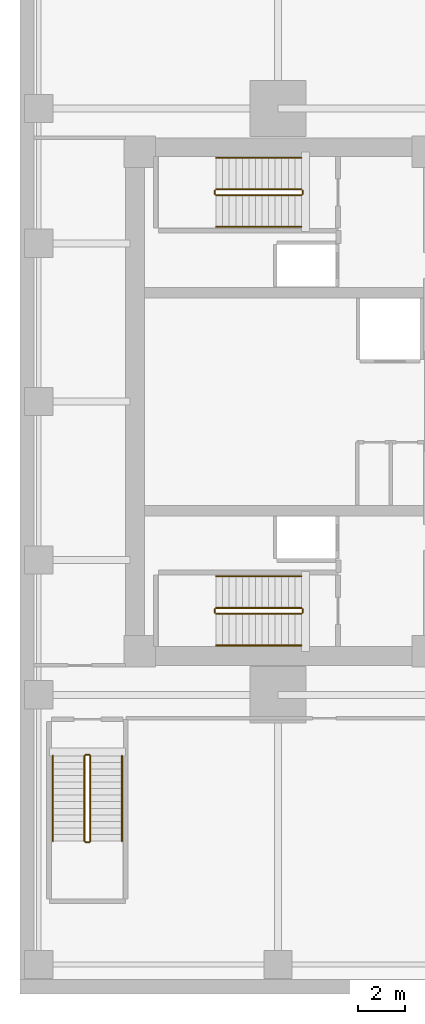
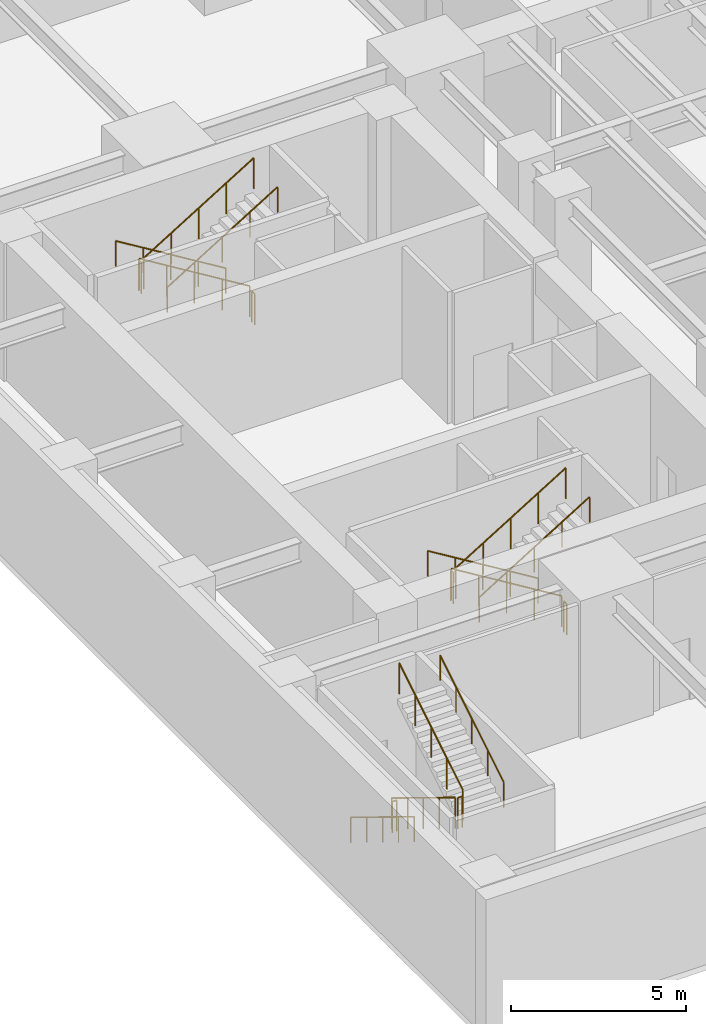
# One storey, part 5 of 5: 18 railings.
"""IFC4 building model written with IfcOpenShell, lengths in metres."""

from ifc_helpers import new_model, si_unit, direction, frame, origin, origin_2d, place, context, subcontext, project, spatial, circle, extrude, material, type_object, element, save


model = new_model("IFC4")

# Units and contexts
model_context = context("Model", 3, precision=1e-05, world=origin(), true_north=direction((0.0, 1.0)))
body_context = subcontext(model_context, "Body", "Model", "MODEL_VIEW")
ifc_project = project(units=[si_unit("LENGTHUNIT", "METRE"), si_unit("AREAUNIT", "SQUARE_METRE"), si_unit("VOLUMEUNIT", "CUBIC_METRE"), si_unit("PLANEANGLEUNIT", "RADIAN"), si_unit("MASSUNIT", "GRAM", prefix="KILO")], contexts=[model_context])

# Site, building, storey
site_placement = place(None, origin())
site = spatial("IfcSite", under=ifc_project, at=site_placement, CompositionType="ELEMENT")
building_placement = place(site_placement, origin())
building = spatial("IfcBuilding", under=site, at=building_placement, Name="Kinhvarn Gate Tower", CompositionType="ELEMENT")
storey_placement = place(building_placement, frame((0.0, 0.0, -4.800048828125)))
storey = spatial("IfcBuildingStorey", under=building, at=storey_placement, Name="B01", CompositionType="ELEMENT", Elevation=-4.800048828125)

# Railings
ifc_material = material(Name="Steel S355", Category="steel")
railing_type_1 = type_object("IfcRailingType", Name="RL-ST-GRD", PredefinedType="BALUSTRADE", material=ifc_material)
railing_1_placement = place(storey_placement, frame((12.0, 16.449951171875, 0.17138671875)))
element("IfcRailing", 1, at=railing_1_placement, inside=storey, type_object=railing_type_1, Name="B01 ST1 stair guard 1", PredefinedType="BALUSTRADE", context=body_context, shape_type="SweptSolid", body=[
    extrude(circle(Radius=0.02392578125, at=origin_2d()), frame((0.0, 0.0, 1.076171875), z_axis=(-0.852824790078, 0.0, 0.522197163366), x_axis=(0.0, -1.0, 0.0)), (0.0, 0.0, 1.0), 4.26806640625),
    extrude(circle(Radius=0.02099609375, at=origin_2d()), origin(), (0.0, 0.0, 1.0), 1.052001953125),
    extrude(circle(Radius=0.02099609375, at=origin_2d()), frame((-0.909912109375, 0.0, 0.55712890625)), (0.0, 0.0, 1.0), 1.052001953125),
    extrude(circle(Radius=0.02099609375, at=origin_2d()), frame((-1.81982421875, 0.0, 1.1142578125)), (0.0, 0.0, 1.0), 1.052001953125),
    extrude(circle(Radius=0.02099609375, at=origin_2d()), frame((-2.72998046875, 0.0, 1.671630859375)), (0.0, 0.0, 1.0), 1.052001953125),
    extrude(circle(Radius=0.02099609375, at=origin_2d()), frame((-3.639892578125, 0.0, 2.228759765625)), (0.0, 0.0, 1.0), 1.052001953125),
])
railing_2_placement = place(storey_placement, frame((8.31005859375, 16.39990234375, 2.400146484375)))
element("IfcRailing", 2, at=railing_2_placement, inside=storey, type_object=railing_type_1, Name="B01 ST1 stair guard 2", PredefinedType="BALUSTRADE", context=body_context, shape_type="SweptSolid", body=[
    extrude(circle(Radius=0.02392578125, at=origin_2d()), frame((0.0, 0.0, 1.076171875), z_axis=(0.0, -1.0, 0.0), x_axis=(1.0, 0.0, 0.0)), (0.0, 0.0, 1.0), 0.14990234375),
    extrude(circle(Radius=0.02099609375, at=origin_2d()), origin(), (0.0, 0.0, 1.0), 1.052001953125),
    extrude(circle(Radius=0.02099609375, at=origin_2d()), frame((0.0, -0.14990234375, 0.0)), (0.0, 0.0, 1.0), 1.052001953125),
])
railing_3_placement = place(storey_placement, frame((8.360107421875, 16.199951171875, 2.571533203125)))
element("IfcRailing", 3, at=railing_3_placement, inside=storey, type_object=railing_type_1, Name="B01 ST1 stair guard 3", PredefinedType="BALUSTRADE", context=body_context, shape_type="SweptSolid", body=[
    extrude(circle(Radius=0.02392578125, at=origin_2d()), frame((0.0, 0.0, 1.076171875), z_axis=(0.852850264322, 0.0, 0.5221555579), x_axis=(0.0, 1.0, 0.0)), (0.0, 0.0, 1.0), 4.267822265625),
    extrude(circle(Radius=0.02099609375, at=origin_2d()), origin(), (0.0, 0.0, 1.0), 1.052001953125),
    extrude(circle(Radius=0.02099609375, at=origin_2d()), frame((0.909912109375, 0.0, 0.55712890625)), (0.0, 0.0, 1.0), 1.052001953125),
    extrude(circle(Radius=0.02099609375, at=origin_2d()), frame((1.81982421875, 0.0, 1.1142578125)), (0.0, 0.0, 1.0), 1.052001953125),
    extrude(circle(Radius=0.02099609375, at=origin_2d()), frame((2.72998046875, 0.0, 1.67138671875)), (0.0, 0.0, 1.0), 1.052001953125),
    extrude(circle(Radius=0.02099609375, at=origin_2d()), frame((3.639892578125, 0.0, 2.228515625)), (0.0, 0.0, 1.0), 1.052001953125),
])
railing_4_placement = place(storey_placement, frame((12.050048828125, 16.39990234375, 0.0)))
element("IfcRailing", 4, at=railing_4_placement, inside=storey, type_object=railing_type_1, Name="B01 ST1 stair guard 4", PredefinedType="BALUSTRADE", context=body_context, shape_type="SweptSolid", body=[
    extrude(circle(Radius=0.02392578125, at=origin_2d()), frame((0.0, 0.0, 1.076171875), z_axis=(0.0, -1.0, 0.0), x_axis=(1.0, 0.0, 0.0)), (0.0, 0.0, 1.0), 0.14990234375),
    extrude(circle(Radius=0.02099609375, at=origin_2d()), origin(), (0.0, 0.0, 1.0), 1.052001953125),
    extrude(circle(Radius=0.02099609375, at=origin_2d()), frame((0.0, -0.14990234375, 0.0)), (0.0, 0.0, 1.0), 1.052001953125),
])
railing_5_placement = place(storey_placement, frame((12.0, 34.300048828125, 0.17138671875)))
element("IfcRailing", 5, at=railing_5_placement, inside=storey, type_object=railing_type_1, Name="B01 ST2 stair guard 1", PredefinedType="BALUSTRADE", context=body_context, shape_type="SweptSolid", body=[
    extrude(circle(Radius=0.02392578125, at=origin_2d()), frame((0.0, 0.0, 1.076171875), z_axis=(-0.852824790078, 0.0, 0.522197163366), x_axis=(0.0, -1.0, 0.0)), (0.0, 0.0, 1.0), 4.26806640625),
    extrude(circle(Radius=0.02099609375, at=origin_2d()), origin(), (0.0, 0.0, 1.0), 1.052001953125),
    extrude(circle(Radius=0.02099609375, at=origin_2d()), frame((-0.909912109375, 0.0, 0.55712890625)), (0.0, 0.0, 1.0), 1.052001953125),
    extrude(circle(Radius=0.02099609375, at=origin_2d()), frame((-1.81982421875, 0.0, 1.1142578125)), (0.0, 0.0, 1.0), 1.052001953125),
    extrude(circle(Radius=0.02099609375, at=origin_2d()), frame((-2.72998046875, 0.0, 1.671630859375)), (0.0, 0.0, 1.0), 1.052001953125),
    extrude(circle(Radius=0.02099609375, at=origin_2d()), frame((-3.639892578125, 0.0, 2.228759765625)), (0.0, 0.0, 1.0), 1.052001953125),
])
railing_6_placement = place(storey_placement, frame((8.31005859375, 34.25, 2.400146484375)))
element("IfcRailing", 6, at=railing_6_placement, inside=storey, type_object=railing_type_1, Name="B01 ST2 stair guard 2", PredefinedType="BALUSTRADE", context=body_context, shape_type="SweptSolid", body=[
    extrude(circle(Radius=0.02392578125, at=origin_2d()), frame((0.0, 0.0, 1.076171875), z_axis=(0.0, -1.0, 0.0), x_axis=(1.0, 0.0, 0.0)), (0.0, 0.0, 1.0), 0.14990234375),
    extrude(circle(Radius=0.02099609375, at=origin_2d()), origin(), (0.0, 0.0, 1.0), 1.052001953125),
    extrude(circle(Radius=0.02099609375, at=origin_2d()), frame((0.0, -0.14990234375, 0.0)), (0.0, 0.0, 1.0), 1.052001953125),
])
railing_7_placement = place(storey_placement, frame((8.360107421875, 34.050048828125, 2.571533203125)))
element("IfcRailing", 7, at=railing_7_placement, inside=storey, type_object=railing_type_1, Name="B01 ST2 stair guard 3", PredefinedType="BALUSTRADE", context=body_context, shape_type="SweptSolid", body=[
    extrude(circle(Radius=0.02392578125, at=origin_2d()), frame((0.0, 0.0, 1.076171875), z_axis=(0.852850264322, 0.0, 0.5221555579), x_axis=(0.0, 1.0, 0.0)), (0.0, 0.0, 1.0), 4.267822265625),
    extrude(circle(Radius=0.02099609375, at=origin_2d()), origin(), (0.0, 0.0, 1.0), 1.052001953125),
    extrude(circle(Radius=0.02099609375, at=origin_2d()), frame((0.909912109375, 0.0, 0.55712890625)), (0.0, 0.0, 1.0), 1.052001953125),
    extrude(circle(Radius=0.02099609375, at=origin_2d()), frame((1.81982421875, 0.0, 1.1142578125)), (0.0, 0.0, 1.0), 1.052001953125),
    extrude(circle(Radius=0.02099609375, at=origin_2d()), frame((2.72998046875, 0.0, 1.67138671875)), (0.0, 0.0, 1.0), 1.052001953125),
    extrude(circle(Radius=0.02099609375, at=origin_2d()), frame((3.639892578125, 0.0, 2.228515625)), (0.0, 0.0, 1.0), 1.052001953125),
])
railing_8_placement = place(storey_placement, frame((12.050048828125, 34.25, 0.0)))
element("IfcRailing", 8, at=railing_8_placement, inside=storey, type_object=railing_type_1, Name="B01 ST2 stair guard 4", PredefinedType="BALUSTRADE", context=body_context, shape_type="SweptSolid", body=[
    extrude(circle(Radius=0.02392578125, at=origin_2d()), frame((0.0, 0.0, 1.076171875), z_axis=(0.0, -1.0, 0.0), x_axis=(1.0, 0.0, 0.0)), (0.0, 0.0, 1.0), 0.14990234375),
    extrude(circle(Radius=0.02099609375, at=origin_2d()), origin(), (0.0, 0.0, 1.0), 1.052001953125),
    extrude(circle(Radius=0.02099609375, at=origin_2d()), frame((0.0, -0.14990234375, 0.0)), (0.0, 0.0, 1.0), 1.052001953125),
])
railing_9_placement = place(storey_placement, frame((2.75, 10.14990234375, 0.17138671875)))
element("IfcRailing", 9, at=railing_9_placement, inside=storey, type_object=railing_type_1, Name="B01 ST3 stair guard 1", PredefinedType="BALUSTRADE", context=body_context, shape_type="SweptSolid", body=[
    extrude(circle(Radius=0.02392578125, at=origin_2d()), frame((0.0, 0.0, 1.076171875), z_axis=(0.0, -0.852824790078, 0.522197163366), x_axis=(1.0, 0.0, 0.0)), (0.0, 0.0, 1.0), 4.26806640625),
    extrude(circle(Radius=0.02099609375, at=origin_2d()), origin(), (0.0, 0.0, 1.0), 1.052001953125),
    extrude(circle(Radius=0.02099609375, at=origin_2d()), frame((0.0, -0.909912109375, 0.55712890625)), (0.0, 0.0, 1.0), 1.052001953125),
    extrude(circle(Radius=0.02099609375, at=origin_2d()), frame((0.0, -1.81982421875, 1.1142578125)), (0.0, 0.0, 1.0), 1.052001953125),
    extrude(circle(Radius=0.02099609375, at=origin_2d()), frame((0.0, -2.72998046875, 1.671630859375)), (0.0, 0.0, 1.0), 1.052001953125),
    extrude(circle(Radius=0.02099609375, at=origin_2d()), frame((0.0, -3.639892578125, 2.228759765625)), (0.0, 0.0, 1.0), 1.052001953125),
])
railing_10_placement = place(storey_placement, frame((2.800048828125, 6.4599609375, 2.400146484375)))
element("IfcRailing", 10, at=railing_10_placement, inside=storey, type_object=railing_type_1, Name="B01 ST3 stair guard 2", PredefinedType="BALUSTRADE", context=body_context, shape_type="SweptSolid", body=[
    extrude(circle(Radius=0.02392578125, at=origin_2d()), frame((0.0, 0.0, 1.076171875), z_axis=(1.0, 0.0, 0.0), x_axis=(0.0, 1.0, 0.0)), (0.0, 0.0, 1.0), 0.14990234375),
    extrude(circle(Radius=0.02099609375, at=origin_2d()), origin(), (0.0, 0.0, 1.0), 1.052001953125),
    extrude(circle(Radius=0.02099609375, at=origin_2d()), frame((0.14990234375, 0.0, 0.0)), (0.0, 0.0, 1.0), 1.052001953125),
])
railing_11_placement = place(storey_placement, frame((3.0, 6.510009765625, 2.571533203125)))
element("IfcRailing", 11, at=railing_11_placement, inside=storey, type_object=railing_type_1, Name="B01 ST3 stair guard 3", PredefinedType="BALUSTRADE", context=body_context, shape_type="SweptSolid", body=[
    extrude(circle(Radius=0.02392578125, at=origin_2d()), frame((0.0, 0.0, 1.076171875), z_axis=(0.0, 0.852850264322, 0.5221555579), x_axis=(-1.0, 0.0, 0.0)), (0.0, 0.0, 1.0), 4.267822265625),
    extrude(circle(Radius=0.02099609375, at=origin_2d()), origin(), (0.0, 0.0, 1.0), 1.052001953125),
    extrude(circle(Radius=0.02099609375, at=origin_2d()), frame((0.0, 0.909912109375, 0.55712890625)), (0.0, 0.0, 1.0), 1.052001953125),
    extrude(circle(Radius=0.02099609375, at=origin_2d()), frame((0.0, 1.81982421875, 1.1142578125)), (0.0, 0.0, 1.0), 1.052001953125),
    extrude(circle(Radius=0.02099609375, at=origin_2d()), frame((0.0, 2.72998046875, 1.67138671875)), (0.0, 0.0, 1.0), 1.052001953125),
    extrude(circle(Radius=0.02099609375, at=origin_2d()), frame((0.0, 3.639892578125, 2.228515625)), (0.0, 0.0, 1.0), 1.052001953125),
])
railing_12_placement = place(storey_placement, frame((2.800048828125, 10.199951171875, 0.0)))
element("IfcRailing", 12, at=railing_12_placement, inside=storey, type_object=railing_type_1, Name="B01 ST3 stair guard 4", PredefinedType="BALUSTRADE", context=body_context, shape_type="SweptSolid", body=[
    extrude(circle(Radius=0.02392578125, at=origin_2d()), frame((0.0, 0.0, 1.076171875), z_axis=(1.0, 0.0, 0.0), x_axis=(0.0, 1.0, 0.0)), (0.0, 0.0, 1.0), 0.14990234375),
    extrude(circle(Radius=0.02099609375, at=origin_2d()), origin(), (0.0, 0.0, 1.0), 1.052001953125),
    extrude(circle(Radius=0.02099609375, at=origin_2d()), frame((0.14990234375, 0.0, 0.0)), (0.0, 0.0, 1.0), 1.052001953125),
])
railing_type_2 = type_object("IfcRailingType", Name="RL-ST-HND", PredefinedType="HANDRAIL", material=ifc_material)
railing_13_placement = place(storey_placement, frame((12.0, 17.800048828125, 0.17138671875)))
element("IfcRailing", 13, at=railing_13_placement, inside=storey, type_object=railing_type_2, Name="B01 ST1 stair handrail 1", PredefinedType="HANDRAIL", context=body_context, shape_type="SweptSolid", body=[
    extrude(circle(Radius=0.02392578125, at=origin_2d()), frame((0.0, 0.0, 0.8759765625), z_axis=(-0.852824790078, 0.0, 0.522197163366), x_axis=(0.0, -1.0, 0.0)), (0.0, 0.0, 1.0), 4.26806640625),
    extrude(circle(Radius=0.02099609375, at=origin_2d()), origin(), (0.0, 0.0, 1.0), 0.851806640625),
    extrude(circle(Radius=0.02099609375, at=origin_2d()), frame((-0.909912109375, 0.0, 0.55712890625)), (0.0, 0.0, 1.0), 0.851806640625),
    extrude(circle(Radius=0.02099609375, at=origin_2d()), frame((-1.81982421875, 0.0, 1.1142578125)), (0.0, 0.0, 1.0), 0.851806640625),
    extrude(circle(Radius=0.02099609375, at=origin_2d()), frame((-2.72998046875, 0.0, 1.671630859375)), (0.0, 0.0, 1.0), 0.851806640625),
    extrude(circle(Radius=0.02099609375, at=origin_2d()), frame((-3.639892578125, 0.0, 2.228759765625)), (0.0, 0.0, 1.0), 0.851806640625),
])
railing_14_placement = place(storey_placement, frame((8.360107421875, 14.85009765625, 2.571533203125)))
element("IfcRailing", 14, at=railing_14_placement, inside=storey, type_object=railing_type_2, Name="B01 ST1 stair handrail 2", PredefinedType="HANDRAIL", context=body_context, shape_type="SweptSolid", body=[
    extrude(circle(Radius=0.02392578125, at=origin_2d()), frame((0.0, 0.0, 0.8759765625), z_axis=(0.852850264322, 0.0, 0.5221555579), x_axis=(0.0, 1.0, 0.0)), (0.0, 0.0, 1.0), 4.267822265625),
    extrude(circle(Radius=0.02099609375, at=origin_2d()), origin(), (0.0, 0.0, 1.0), 0.851806640625),
    extrude(circle(Radius=0.02099609375, at=origin_2d()), frame((0.909912109375, 0.0, 0.55712890625)), (0.0, 0.0, 1.0), 0.851806640625),
    extrude(circle(Radius=0.02099609375, at=origin_2d()), frame((1.81982421875, 0.0, 1.1142578125)), (0.0, 0.0, 1.0), 0.851806640625),
    extrude(circle(Radius=0.02099609375, at=origin_2d()), frame((2.72998046875, 0.0, 1.67138671875)), (0.0, 0.0, 1.0), 0.851806640625),
    extrude(circle(Radius=0.02099609375, at=origin_2d()), frame((3.639892578125, 0.0, 2.228515625)), (0.0, 0.0, 1.0), 0.851806640625),
])
railing_15_placement = place(storey_placement, frame((12.0, 35.64990234375, 0.17138671875)))
element("IfcRailing", 15, at=railing_15_placement, inside=storey, type_object=railing_type_2, Name="B01 ST2 stair handrail 1", PredefinedType="HANDRAIL", context=body_context, shape_type="SweptSolid", body=[
    extrude(circle(Radius=0.02392578125, at=origin_2d()), frame((0.0, 0.0, 0.8759765625), z_axis=(-0.852824790078, 0.0, 0.522197163366), x_axis=(0.0, -1.0, 0.0)), (0.0, 0.0, 1.0), 4.26806640625),
    extrude(circle(Radius=0.02099609375, at=origin_2d()), origin(), (0.0, 0.0, 1.0), 0.851806640625),
    extrude(circle(Radius=0.02099609375, at=origin_2d()), frame((-0.909912109375, 0.0, 0.55712890625)), (0.0, 0.0, 1.0), 0.851806640625),
    extrude(circle(Radius=0.02099609375, at=origin_2d()), frame((-1.81982421875, 0.0, 1.1142578125)), (0.0, 0.0, 1.0), 0.851806640625),
    extrude(circle(Radius=0.02099609375, at=origin_2d()), frame((-2.72998046875, 0.0, 1.671630859375)), (0.0, 0.0, 1.0), 0.851806640625),
    extrude(circle(Radius=0.02099609375, at=origin_2d()), frame((-3.639892578125, 0.0, 2.228759765625)), (0.0, 0.0, 1.0), 0.851806640625),
])
railing_16_placement = place(storey_placement, frame((8.360107421875, 32.699951171875, 2.571533203125)))
element("IfcRailing", 16, at=railing_16_placement, inside=storey, type_object=railing_type_2, Name="B01 ST2 stair handrail 2", PredefinedType="HANDRAIL", context=body_context, shape_type="SweptSolid", body=[
    extrude(circle(Radius=0.02392578125, at=origin_2d()), frame((0.0, 0.0, 0.8759765625), z_axis=(0.852850264322, 0.0, 0.5221555579), x_axis=(0.0, 1.0, 0.0)), (0.0, 0.0, 1.0), 4.267822265625),
    extrude(circle(Radius=0.02099609375, at=origin_2d()), origin(), (0.0, 0.0, 1.0), 0.851806640625),
    extrude(circle(Radius=0.02099609375, at=origin_2d()), frame((0.909912109375, 0.0, 0.55712890625)), (0.0, 0.0, 1.0), 0.851806640625),
    extrude(circle(Radius=0.02099609375, at=origin_2d()), frame((1.81982421875, 0.0, 1.1142578125)), (0.0, 0.0, 1.0), 0.851806640625),
    extrude(circle(Radius=0.02099609375, at=origin_2d()), frame((2.72998046875, 0.0, 1.67138671875)), (0.0, 0.0, 1.0), 0.851806640625),
    extrude(circle(Radius=0.02099609375, at=origin_2d()), frame((3.639892578125, 0.0, 2.228515625)), (0.0, 0.0, 1.0), 0.851806640625),
])
railing_17_placement = place(storey_placement, frame((1.39990234375, 10.14990234375, 0.17138671875)))
element("IfcRailing", 17, at=railing_17_placement, inside=storey, type_object=railing_type_2, Name="B01 ST3 stair handrail 1", PredefinedType="HANDRAIL", context=body_context, shape_type="SweptSolid", body=[
    extrude(circle(Radius=0.02392578125, at=origin_2d()), frame((0.0, 0.0, 0.8759765625), z_axis=(0.0, -0.852824790078, 0.522197163366), x_axis=(1.0, 0.0, 0.0)), (0.0, 0.0, 1.0), 4.26806640625),
    extrude(circle(Radius=0.02099609375, at=origin_2d()), origin(), (0.0, 0.0, 1.0), 0.851806640625),
    extrude(circle(Radius=0.02099609375, at=origin_2d()), frame((0.0, -0.909912109375, 0.55712890625)), (0.0, 0.0, 1.0), 0.851806640625),
    extrude(circle(Radius=0.02099609375, at=origin_2d()), frame((0.0, -1.81982421875, 1.1142578125)), (0.0, 0.0, 1.0), 0.851806640625),
    extrude(circle(Radius=0.02099609375, at=origin_2d()), frame((0.0, -2.72998046875, 1.671630859375)), (0.0, 0.0, 1.0), 0.851806640625),
    extrude(circle(Radius=0.02099609375, at=origin_2d()), frame((0.0, -3.639892578125, 2.228759765625)), (0.0, 0.0, 1.0), 0.851806640625),
])
railing_18_placement = place(storey_placement, frame((4.35009765625, 6.510009765625, 2.571533203125)))
element("IfcRailing", 18, at=railing_18_placement, inside=storey, type_object=railing_type_2, Name="B01 ST3 stair handrail 2", PredefinedType="HANDRAIL", context=body_context, shape_type="SweptSolid", body=[
    extrude(circle(Radius=0.02392578125, at=origin_2d()), frame((0.0, 0.0, 0.8759765625), z_axis=(0.0, 0.852850264322, 0.5221555579), x_axis=(-1.0, 0.0, 0.0)), (0.0, 0.0, 1.0), 4.267822265625),
    extrude(circle(Radius=0.02099609375, at=origin_2d()), origin(), (0.0, 0.0, 1.0), 0.851806640625),
    extrude(circle(Radius=0.02099609375, at=origin_2d()), frame((0.0, 0.909912109375, 0.55712890625)), (0.0, 0.0, 1.0), 0.851806640625),
    extrude(circle(Radius=0.02099609375, at=origin_2d()), frame((0.0, 1.81982421875, 1.1142578125)), (0.0, 0.0, 1.0), 0.851806640625),
    extrude(circle(Radius=0.02099609375, at=origin_2d()), frame((0.0, 2.72998046875, 1.67138671875)), (0.0, 0.0, 1.0), 0.851806640625),
    extrude(circle(Radius=0.02099609375, at=origin_2d()), frame((0.0, 3.639892578125, 2.228515625)), (0.0, 0.0, 1.0), 0.851806640625),
])

save(model, "model.ifc")
